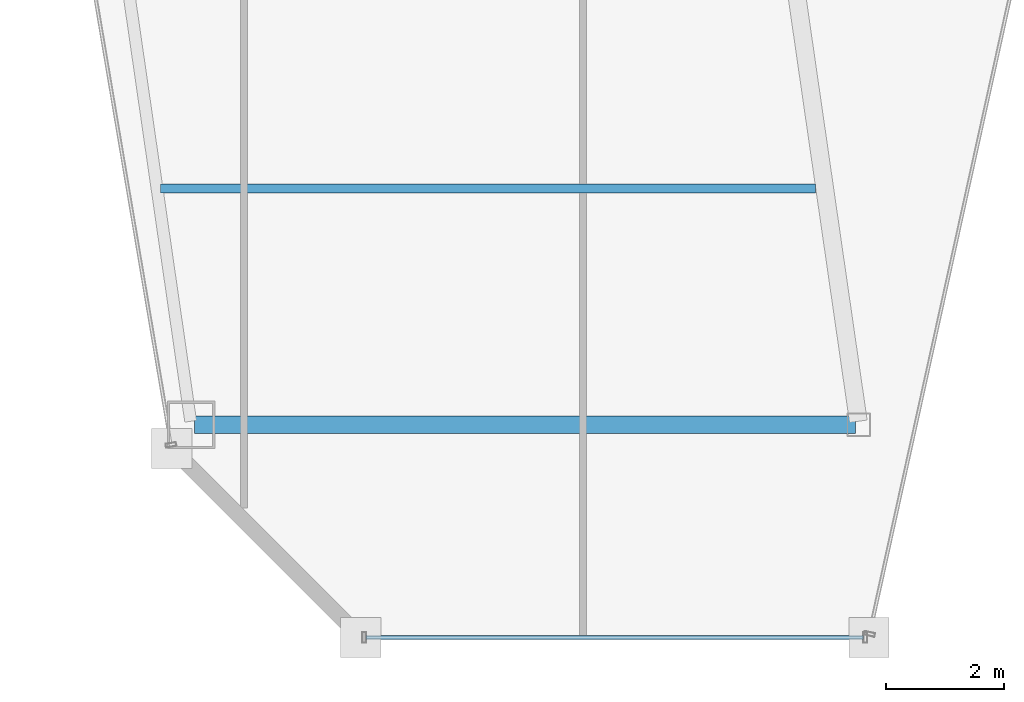
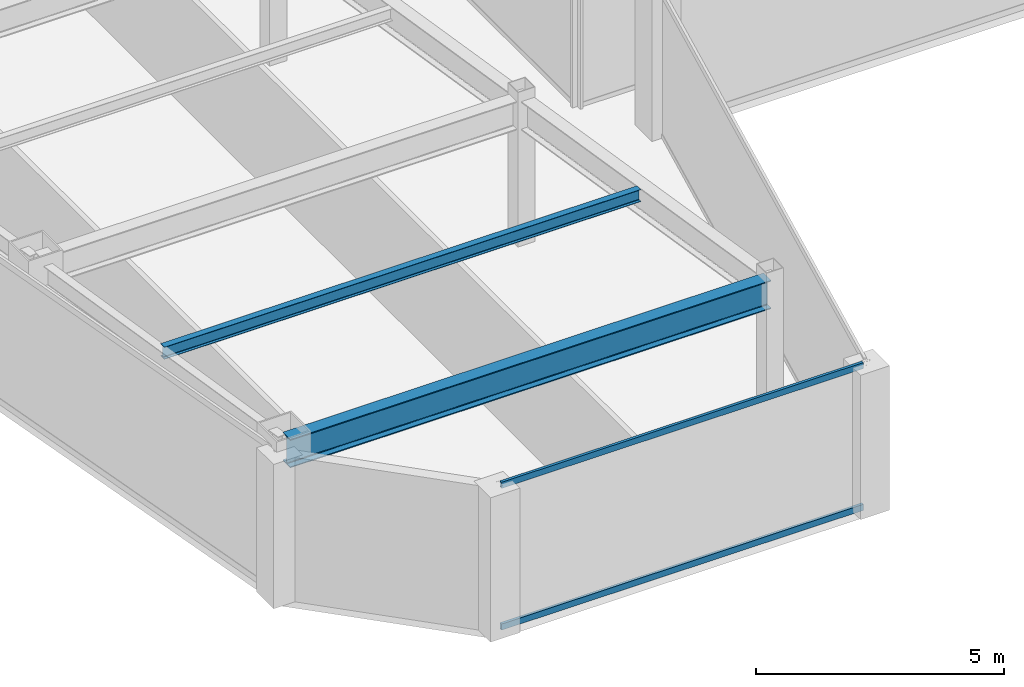
# One storey, part 4 of 36: 2 beams, 2 members, 1 element without a shape of its own.
"""IFC4 building model written with IfcOpenShell, lengths in metres."""

import ifcopenshell
import ifcopenshell.guid

model = None  # the IFC model being written
_history = None  # IfcOwnerHistory: only IFC2X3 demands one
_inside = {}  # id of a spatial element -> (the spatial element, [elements in it])
_under = {}  # id of a project, library or spatial element -> (it, [spatial elements below it])
_declared = {}  # id of a project -> (the project, [libraries it declares])
_typed = {}  # id of a type object -> (the type object, [elements of that type])
_made_of = {}  # id of a material, layer set ... -> (it, [elements and type objects made of it])


def new_model(schema):
    """Start an empty IFC model of exactly this schema.

    Asked for "IFC4X3", IfcOpenShell would pick the latest addendum, in which some entities
    have other attributes; the version numbers below select the first issue.
    IFC2X3 requires an IfcOwnerHistory on every rooted entity: one is made here for all.
    """
    global model, _history
    if schema == "IFC4X3":
        model = ifcopenshell.file(schema_version=(4, 3, 0, 0))
    else:
        model = ifcopenshell.file(schema=schema)
    _inside.clear()
    _under.clear()
    _declared.clear()
    _typed.clear()
    _made_of.clear()
    _history = None
    if model.schema == "IFC2X3":
        org = make("IfcOrganization", Name="unknown")
        user = make(
            "IfcPersonAndOrganization",
            ThePerson=make("IfcPerson", FamilyName="unknown"),
            TheOrganization=org,
        )
        app = make(
            "IfcApplication",
            ApplicationDeveloper=org,
            Version="unknown",
            ApplicationFullName="unknown",
            ApplicationIdentifier="unknown",
        )
        _history = make(
            "IfcOwnerHistory",
            OwningUser=user,
            OwningApplication=app,
            ChangeAction="ADDED",
            CreationDate=0,
        )
    return model


def make(cls, **values):
    """One entity of the class cls with the attributes given. An attribute that is None is left unset."""
    return model.create_entity(
        cls, **{name: value for name, value in values.items() if value is not None}
    )


def rooted(cls, **values):
    """An entity with a GlobalId (a new one), such as an element, a storey or a relation."""
    return make(cls, GlobalId=ifcopenshell.guid.new(), OwnerHistory=_history, **values)


def si_unit(unit_type, name, prefix=None):
    """IfcSIUnit, for example si_unit("LENGTHUNIT", "METRE", prefix="MILLI")."""
    return make("IfcSIUnit", UnitType=unit_type, Prefix=prefix, Name=name)


def assignment(units):
    """IfcUnitAssignment: the units of a project."""
    return None if units is None else make("IfcUnitAssignment", Units=units)


def point(xyz):
    """IfcCartesianPoint."""
    return None if xyz is None else make("IfcCartesianPoint", Coordinates=xyz)


def direction(xyz):
    """IfcDirection."""
    return None if xyz is None else make("IfcDirection", DirectionRatios=xyz)


def frame(location, z_axis=None, x_axis=None):
    """IfcAxis2Placement3D, a coordinate frame: its origin and axes. An axis left out is left unset."""
    return make(
        "IfcAxis2Placement3D",
        Location=point(location),
        Axis=direction(z_axis),
        RefDirection=direction(x_axis),
    )


def frame_2d(location, x_axis=None):
    """IfcAxis2Placement2D, a coordinate frame in the plane: its origin and x axis."""
    return make(
        "IfcAxis2Placement2D", Location=point(location), RefDirection=direction(x_axis)
    )


def origin():
    """The frame at (0, 0, 0) with its axes left unset."""
    return frame((0.0, 0.0, 0.0))


def origin_2d():
    """The frame at (0, 0) in the plane with its x axis left unset."""
    return frame_2d((0.0, 0.0))


def place(relative_to, where):
    """IfcLocalPlacement: puts the frame where relative to a parent placement (None: the world)."""
    return make(
        "IfcLocalPlacement", PlacementRelTo=relative_to, RelativePlacement=where
    )


def context(
    kind, dimensions, precision=None, world=None, true_north=None, identifier=None
):
    """IfcGeometricRepresentationContext, for example the 3D "Model" context."""
    return make(
        "IfcGeometricRepresentationContext",
        ContextIdentifier=identifier,
        ContextType=kind,
        CoordinateSpaceDimension=dimensions,
        Precision=precision,
        WorldCoordinateSystem=world,
        TrueNorth=true_north,
    )


def subcontext(parent, identifier, kind, view, scale=None):
    """IfcGeometricRepresentationSubContext, for example "Body" below "Model"."""
    return make(
        "IfcGeometricRepresentationSubContext",
        ContextIdentifier=identifier,
        ContextType=kind,
        ParentContext=parent,
        TargetScale=scale,
        TargetView=view,
    )


def project(units=None, contexts=None):
    """IfcProject with its units and contexts."""
    return rooted(
        "IfcProject",
        Name="project",
        RepresentationContexts=contexts,
        UnitsInContext=assignment(units),
    )


def spatial(cls, under=None, at=None, **own):
    """A site, building, storey or space (cls), placed at a placement, below another one or the project."""
    s = rooted(cls, ObjectPlacement=at, **own)
    if under is not None:
        _under.setdefault(under.id(), (under, []))[1].append(s)
    return s


def profile(cls, at=None, kind="AREA", **sizes):
    """A parametric profile (cls). Its sizes go by their IFC names, for example OverallWidth=200.0."""
    return make(cls, ProfileType=kind, Position=at, **sizes)


def hollow_rectangle(**sizes):
    """IfcRectangleHollowProfileDef."""
    return profile("IfcRectangleHollowProfileDef", **sizes)


def i_section(**sizes):
    """IfcIShapeProfileDef."""
    return profile("IfcIShapeProfileDef", **sizes)


def extrude(swept, where, along, depth):
    """IfcExtrudedAreaSolid: the profile swept, set in the frame where, extruded along a direction by depth."""
    return make(
        "IfcExtrudedAreaSolid",
        SweptArea=swept,
        Position=where,
        ExtrudedDirection=direction(along),
        Depth=depth,
    )


def shape(context_of_items, identifier, shape_type, items):
    """IfcShapeRepresentation: the items that make up one representation, for example the "Body"."""
    return make(
        "IfcShapeRepresentation",
        ContextOfItems=context_of_items,
        RepresentationIdentifier=identifier,
        RepresentationType=shape_type,
        Items=items,
    )


def material(Name=None, Category=None):
    """IfcMaterial."""
    return make("IfcMaterial", Name=Name, Category=Category)


def material_profile(
    of_material, cross_section, Name=None, Category=None, Priority=None
):
    """IfcMaterialProfile: a cross section and its material."""
    return make(
        "IfcMaterialProfile",
        Name=Name,
        Material=of_material,
        Profile=cross_section,
        Priority=Priority,
        Category=Category,
    )


def profile_set(profiles, Name=None, composite=None):
    """IfcMaterialProfileSet."""
    return make(
        "IfcMaterialProfileSet",
        Name=Name,
        MaterialProfiles=profiles,
        CompositeProfile=composite,
    )


def made_of(thing, what):
    """Note that an element or type object is made of a material, layer set ...; save() writes the relation."""
    if what is not None:
        _made_of.setdefault(what.id(), (what, []))[1].append(thing)
    return thing


def type_object(cls, material=None, **own):
    """A type object (cls), such as IfcWallType, which elements share."""
    return made_of(rooted(cls, **own), material)


def element(
    cls,
    number,
    at=None,
    inside=None,
    cuts=None,
    type_object=None,
    material=None,
    context=None,
    identifier="Body",
    shape_type=None,
    held_by="IfcProductDefinitionShape",
    body=None,
    shapes=None,
    **own,
):
    """One element of the class cls, such as IfcWall. Its Tag is "e" and its number.

    at: its placement. inside: the storey or other place that contains it. cuts: it is an
    opening in that element (IfcRelVoidsElement). A single representation is given by context,
    identifier, shape_type and body (its items); several are given by shapes. held_by: the class
    of the entity that holds the representations. save() writes the other relations.
    """
    e = rooted(cls, Tag="e%d" % number, ObjectPlacement=at, **own)
    if body is not None:
        shapes = [shape(context, identifier, shape_type, body)]
    if shapes is not None:
        e.Representation = make(held_by, Representations=shapes)
    if inside is not None:
        _inside.setdefault(inside.id(), (inside, []))[1].append(e)
    if cuts is not None:
        rooted(
            "IfcRelVoidsElement", RelatingBuildingElement=cuts, RelatedOpeningElement=e
        )
    if type_object is not None:
        _typed.setdefault(type_object.id(), (type_object, []))[1].append(e)
    return made_of(e, material)


def aggregate(whole, parts):
    """IfcRelAggregates: a whole, such as a stair, and the parts it consists of."""
    return rooted("IfcRelAggregates", RelatingObject=whole, RelatedObjects=parts)


def save(model, path):
    """Write the relations noted so far, then the file.

    IfcRelAggregates (storeys below a building ...), IfcRelContainedInSpatialStructure (elements
    in a storey), IfcRelDefinesByType, IfcRelAssociatesMaterial and IfcRelDeclares: one each for
    every whole, place, type object, material and project.
    """
    for whole, parts in _under.values():
        aggregate(whole, parts)
    for where, things in _inside.values():
        rooted(
            "IfcRelContainedInSpatialStructure",
            RelatedElements=things,
            RelatingStructure=where,
        )
    for kind, things in _typed.values():
        rooted("IfcRelDefinesByType", RelatedObjects=things, RelatingType=kind)
    for what, things in _made_of.values():
        rooted("IfcRelAssociatesMaterial", RelatedObjects=things, RelatingMaterial=what)
    for by, libraries in _declared.values():
        rooted("IfcRelDeclares", RelatingContext=by, RelatedDefinitions=libraries)
    model.write(path)


model = new_model("IFC4")

# Units and contexts
model_context = context("Model", 3, precision=1e-05, world=origin(), true_north=direction((0.0, 1.0)))
body_context = subcontext(model_context, "Body", "Model", "MODEL_VIEW")
ifc_project = project(units=[si_unit("LENGTHUNIT", "METRE"), si_unit("AREAUNIT", "SQUARE_METRE"), si_unit("VOLUMEUNIT", "CUBIC_METRE"), si_unit("PLANEANGLEUNIT", "RADIAN"), si_unit("MASSUNIT", "GRAM", prefix="KILO")], contexts=[model_context])

# Site, building, storey
site_placement = place(None, origin())
site = spatial("IfcSite", under=ifc_project, at=site_placement, CompositionType="ELEMENT")
building_placement = place(site_placement, origin())
building = spatial("IfcBuilding", under=site, at=building_placement, Name="Saevonmaru Cultural Tower", CompositionType="ELEMENT")
storey_placement = place(building_placement, frame((0.0, 0.0, 205.60009765625)))
storey = spatial("IfcBuildingStorey", under=building, at=storey_placement, Name="L47", CompositionType="ELEMENT", Elevation=205.60009765625)

# Beams
ifc_material_1 = material(Name="Steel SM355", Category="steel")
ifc_material_profile_1 = material_profile(ifc_material_1, i_section(OverallWidth=0.300048828125, OverallDepth=0.699951171875, WebThickness=0.012939453125, FlangeThickness=0.02392578125, FilletRadius=0.02587890625, at=origin_2d()), Name="H-700x300x13x24")
ifc_profile_set_1 = profile_set([ifc_material_profile_1], Name="Steel SM355")
beam_type_1 = type_object("IfcBeamType", Name="BM-G-H700", PredefinedType="BEAM", material=ifc_profile_set_1)
beam_1_placement = place(storey_placement, frame((10.68798828125, 16.0, 3.199951171875), z_axis=(1.0, 0.0, 0.0), x_axis=(0.0, 1.0, 0.0)))
element("IfcBeam", 1, at=beam_1_placement, inside=storey, type_object=beam_type_1, Name="L47 West Wing Transverse Girder 1", PredefinedType="BEAM", context=body_context, shape_type="SweptSolid", body=[
    extrude(i_section(OverallWidth=0.300048828125, OverallDepth=0.699951171875, WebThickness=0.012939453125, FlangeThickness=0.02392578125, FilletRadius=0.02587890625, at=origin_2d()), origin(), (0.0, 0.0, 1.0), 11.179931640625),
])
ifc_material_profile_2 = material_profile(ifc_material_1, i_section(OverallWidth=0.14990234375, OverallDepth=0.300048828125, WebThickness=0.006591796875, FlangeThickness=0.009033203125, FilletRadius=0.012939453125, at=origin_2d()), Name="H-300x150x6.5x9")
ifc_profile_set_2 = profile_set([ifc_material_profile_2], Name="Steel SM355")
beam_type_2 = type_object("IfcBeamType", Name="BM-J-H300", PredefinedType="JOIST", material=ifc_profile_set_2)
beam_2_placement = place(storey_placement, frame((10.110107421875, 20.0, 3.39990234375), z_axis=(1.0, 0.0, 0.0), x_axis=(0.0, 1.0, 0.0)))
element("IfcBeam", 2, at=beam_2_placement, inside=storey, type_object=beam_type_2, Name="L47 West Wing Floor Joist 1", PredefinedType="JOIST", context=body_context, shape_type="SweptSolid", body=[
    extrude(i_section(OverallWidth=0.14990234375, OverallDepth=0.300048828125, WebThickness=0.006591796875, FlangeThickness=0.009033203125, FilletRadius=0.012939453125, at=origin_2d()), origin(), (0.0, 0.0, 1.0), 11.081787109375),
])

# Curtain wall, members
ifc_material_2 = material(Name="Satin Bronze Anodised Aluminium", Category="aluminium")
curtain_wall_type = type_object("IfcCurtainWallType", Name="CW-TYP-B", PredefinedType="NOTDEFINED", material=ifc_material_2)
curtain_wall_placement = place(storey_placement, origin())
curtain_wall = element("IfcCurtainWall", 3, at=curtain_wall_placement, inside=storey, type_object=curtain_wall_type, Name="L47 Unitised Curtain Wall E2", PredefinedType="NOTDEFINED")
ifc_material_profile_3 = material_profile(ifc_material_2, hollow_rectangle(XDim=0.06494140625, YDim=0.14990234375, WallThickness=0.00390625, at=origin_2d()), Name="ALU-TRAN-150x65x4")
ifc_profile_set_3 = profile_set([ifc_material_profile_3], Name="Satin Bronze Anodised Aluminium")
member_type = type_object("IfcMemberType", Name="TR-CW-150x65", PredefinedType="USERDEFINED", material=ifc_profile_set_3)
member_1_placement = place(storey_placement, frame((13.59033203125, 12.39990234375, 0.032470703125), z_axis=(1.0, 0.0, 0.0), x_axis=(0.0, 1.0, 0.0)))
member_1 = element("IfcMember", 4, at=member_1_placement, type_object=member_type, Name="CW-TW-L47-E2 transom 1.1", ObjectType="TRANSOM", PredefinedType="USERDEFINED", context=body_context, shape_type="SweptSolid", body=[
    extrude(hollow_rectangle(XDim=0.06494140625, YDim=0.14990234375, WallThickness=0.00390625, at=origin_2d()), origin(), (0.0, 0.0, 1.0), 8.4150390625),
])
member_2_placement = place(storey_placement, frame((13.59033203125, 12.39990234375, 3.517333984375), z_axis=(1.0, 0.0, 0.0), x_axis=(0.0, 1.0, 0.0)))
member_2 = element("IfcMember", 5, at=member_2_placement, type_object=member_type, Name="CW-TW-L47-E2 transom 1.2", ObjectType="TRANSOM", PredefinedType="USERDEFINED", context=body_context, shape_type="SweptSolid", body=[
    extrude(hollow_rectangle(XDim=0.06494140625, YDim=0.14990234375, WallThickness=0.00390625, at=origin_2d()), origin(), (0.0, 0.0, 1.0), 8.4150390625),
])
aggregate(curtain_wall, [member_1, member_2])

save(model, "model.ifc")
